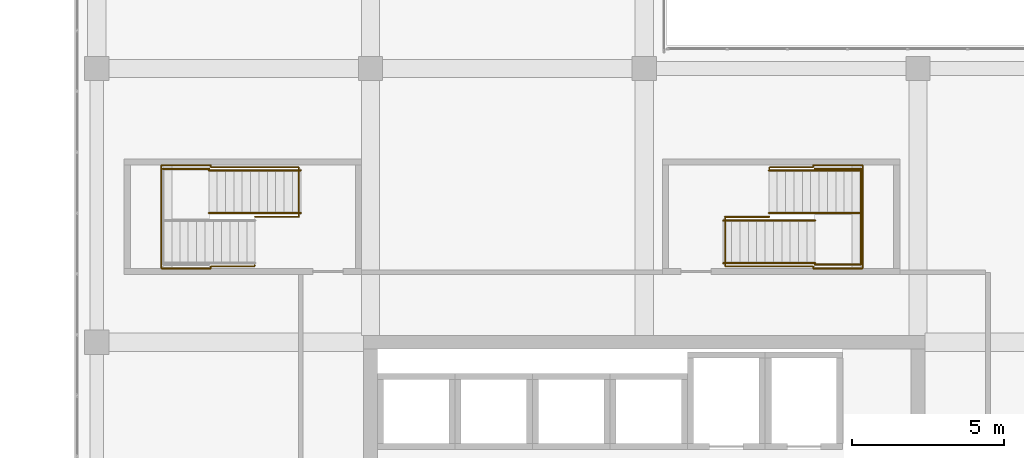
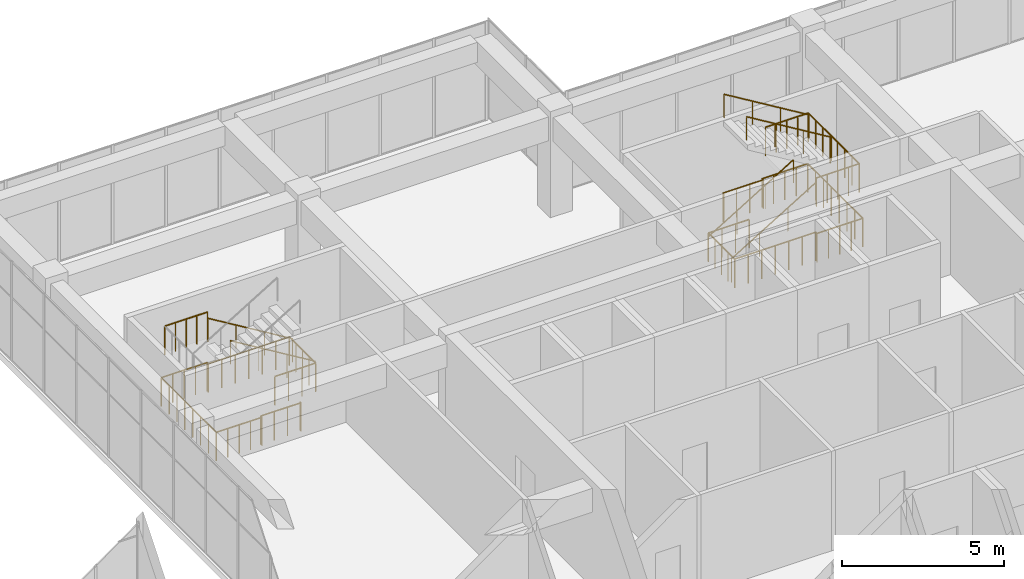
# One storey, part 65 of 65: 14 railings.
"""IFC4 building model written with IfcOpenShell, lengths in metres."""

from ifc_helpers import new_model, si_unit, direction, frame, origin, origin_2d, place, context, subcontext, project, spatial, circle, extrude, material, type_object, element, save


model = new_model("IFC4")

# Units and contexts
model_context = context("Model", 3, precision=1e-05, world=origin(), true_north=direction((0.0, 1.0)))
body_context = subcontext(model_context, "Body", "Model", "MODEL_VIEW")
ifc_project = project(units=[si_unit("LENGTHUNIT", "METRE"), si_unit("AREAUNIT", "SQUARE_METRE"), si_unit("VOLUMEUNIT", "CUBIC_METRE"), si_unit("PLANEANGLEUNIT", "RADIAN"), si_unit("MASSUNIT", "GRAM", prefix="KILO")], contexts=[model_context])

# Site, building, storey
site_placement = place(None, origin())
site = spatial("IfcSite", under=ifc_project, at=site_placement, CompositionType="ELEMENT")
building_placement = place(site_placement, origin())
building = spatial("IfcBuilding", under=site, at=building_placement, Name="Tuart Plaza Theatre", CompositionType="ELEMENT")
storey_placement = place(building_placement, frame((0.0, 0.0, 9.5)))
storey = spatial("IfcBuildingStorey", under=building, at=storey_placement, Name="L02", CompositionType="ELEMENT", Elevation=9.5)

# Railings
ifc_material_1 = material(Name="Steel Grade C350L0", Category="steel")
railing_type_1 = type_object("IfcRailingType", Name="RAILING Guard 1100", PredefinedType="GUARDRAIL", material=ifc_material_1)
railing_1_placement = place(storey_placement, frame((134.655029296875, 87.125, 0.0)))
element("IfcRailing", 1, at=railing_1_placement, inside=storey, type_object=railing_type_1, Name="GR283", PredefinedType="GUARDRAIL", context=body_context, shape_type="SweptSolid", body=[
    extrude(circle(Radius=0.02490234375, at=origin_2d()), frame((0.0, 0.0, 1.0751953125), z_axis=(1.0, 0.0, 0.0), x_axis=(0.0, 1.0, 0.0)), (0.0, 0.0, 1.0), 1.455078125),
    extrude(circle(Radius=0.02001953125, at=origin_2d()), origin(), (0.0, 0.0, 1.0), 1.050048828125),
    extrude(circle(Radius=0.02001953125, at=origin_2d()), frame((0.485107421875, 0.0, 0.0)), (0.0, 0.0, 1.0), 1.050048828125),
    extrude(circle(Radius=0.02001953125, at=origin_2d()), frame((0.969970703125, 0.0, 0.0)), (0.0, 0.0, 1.0), 1.050048828125),
    extrude(circle(Radius=0.02001953125, at=origin_2d()), frame((1.455078125, 0.0, 0.0)), (0.0, 0.0, 1.0), 1.050048828125),
])
railing_2_placement = place(storey_placement, frame((136.114990234375, 88.705078125, 0.0)))
element("IfcRailing", 2, at=railing_2_placement, inside=storey, type_object=railing_type_1, Name="GR284", PredefinedType="GUARDRAIL", context=body_context, shape_type="SweptSolid", body=[
    extrude(circle(Radius=0.02490234375, at=origin_2d()), frame((0.0, 0.0, 1.0751953125), z_axis=(0.0, 1.0, 0.0), x_axis=(-1.0, 0.0, 0.0)), (0.0, 0.0, 1.0), 0.044921875),
    extrude(circle(Radius=0.02490234375, at=origin_2d()), frame((0.0, 0.044921875, 1.0751953125), z_axis=(1.0, 0.0, 0.0), x_axis=(0.0, 1.0, 0.0)), (0.0, 0.0, 1.0), 1.43505859375),
    extrude(circle(Radius=0.02490234375, at=origin_2d()), frame((1.43505859375, 0.044921875, 1.0751953125), z_axis=(0.0, 1.0, 0.0), x_axis=(-1.0, 0.0, 0.0)), (0.0, 0.0, 1.0), 0.074951171875),
    extrude(circle(Radius=0.02490234375, at=origin_2d()), frame((1.43505859375, 0.119873046875, 1.0751953125), z_axis=(1.0, 0.0, 0.0), x_axis=(0.0, 1.0, 0.0)), (0.0, 0.0, 1.0), 1.6298828125),
    extrude(circle(Radius=0.02490234375, at=origin_2d()), frame((3.06494140625, 0.119873046875, 1.0751953125), z_axis=(0.0, -1.0, 0.0), x_axis=(1.0, 0.0, 0.0)), (0.0, 0.0, 1.0), 3.39990234375),
    extrude(circle(Radius=0.02490234375, at=origin_2d()), frame((3.06494140625, -3.280029296875, 1.0751953125), z_axis=(-1.0, 0.0, 0.0), x_axis=(0.0, -1.0, 0.0)), (0.0, 0.0, 1.0), 1.6298828125),
    extrude(circle(Radius=0.02490234375, at=origin_2d()), frame((1.43505859375, -3.280029296875, 1.0751953125), z_axis=(0.0, 1.0, 0.0), x_axis=(-1.0, 0.0, 0.0)), (0.0, 0.0, 1.0), 0.074951171875),
    extrude(circle(Radius=0.02490234375, at=origin_2d()), frame((1.43505859375, -3.205078125, 1.0751953125), z_axis=(-1.0, 0.0, 0.0), x_axis=(0.0, -1.0, 0.0)), (0.0, 0.0, 1.0), 2.89501953125),
    extrude(circle(Radius=0.02490234375, at=origin_2d()), frame((-1.4599609375, -3.205078125, 1.0751953125), z_axis=(0.0, 1.0, 0.0), x_axis=(-1.0, 0.0, 0.0)), (0.0, 0.0, 1.0), 1.625),
    extrude(circle(Radius=0.02001953125, at=origin_2d()), origin(), (0.0, 0.0, 1.0), 1.050048828125),
    extrude(circle(Radius=0.02001953125, at=origin_2d()), frame((0.0, 0.044921875, 0.0)), (0.0, 0.0, 1.0), 1.050048828125),
    extrude(circle(Radius=0.02001953125, at=origin_2d()), frame((0.478271484375, 0.044921875, 0.0)), (0.0, 0.0, 1.0), 1.050048828125),
    extrude(circle(Radius=0.02001953125, at=origin_2d()), frame((0.956787109375, 0.044921875, 0.0)), (0.0, 0.0, 1.0), 1.050048828125),
    extrude(circle(Radius=0.02001953125, at=origin_2d()), frame((1.43505859375, 0.044921875, 0.0)), (0.0, 0.0, 1.0), 1.050048828125),
    extrude(circle(Radius=0.02001953125, at=origin_2d()), frame((1.43505859375, 0.119873046875, 0.0)), (0.0, 0.0, 1.0), 1.050048828125),
    extrude(circle(Radius=0.02001953125, at=origin_2d()), frame((1.842529296875, 0.119873046875, 0.0)), (0.0, 0.0, 1.0), 1.050048828125),
    extrude(circle(Radius=0.02001953125, at=origin_2d()), frame((2.25, 0.119873046875, 0.0)), (0.0, 0.0, 1.0), 1.050048828125),
    extrude(circle(Radius=0.02001953125, at=origin_2d()), frame((2.657470703125, 0.119873046875, 0.0)), (0.0, 0.0, 1.0), 1.050048828125),
    extrude(circle(Radius=0.02001953125, at=origin_2d()), frame((3.06494140625, 0.119873046875, 0.0)), (0.0, 0.0, 1.0), 1.050048828125),
    extrude(circle(Radius=0.02001953125, at=origin_2d()), frame((3.06494140625, -0.36572265625, 0.0)), (0.0, 0.0, 1.0), 1.050048828125),
    extrude(circle(Radius=0.02001953125, at=origin_2d()), frame((3.06494140625, -0.8515625, 0.0)), (0.0, 0.0, 1.0), 1.050048828125),
    extrude(circle(Radius=0.02001953125, at=origin_2d()), frame((3.06494140625, -1.337158203125, 0.0)), (0.0, 0.0, 1.0), 1.050048828125),
    extrude(circle(Radius=0.02001953125, at=origin_2d()), frame((3.06494140625, -1.822998046875, 0.0)), (0.0, 0.0, 1.0), 1.050048828125),
    extrude(circle(Radius=0.02001953125, at=origin_2d()), frame((3.06494140625, -2.30859375, 0.0)), (0.0, 0.0, 1.0), 1.050048828125),
    extrude(circle(Radius=0.02001953125, at=origin_2d()), frame((3.06494140625, -2.79443359375, 0.0)), (0.0, 0.0, 1.0), 1.050048828125),
    extrude(circle(Radius=0.02001953125, at=origin_2d()), frame((3.06494140625, -3.280029296875, 0.0)), (0.0, 0.0, 1.0), 1.050048828125),
    extrude(circle(Radius=0.02001953125, at=origin_2d()), frame((2.657470703125, -3.280029296875, 0.0)), (0.0, 0.0, 1.0), 1.050048828125),
    extrude(circle(Radius=0.02001953125, at=origin_2d()), frame((2.25, -3.280029296875, 0.0)), (0.0, 0.0, 1.0), 1.050048828125),
    extrude(circle(Radius=0.02001953125, at=origin_2d()), frame((1.842529296875, -3.280029296875, 0.0)), (0.0, 0.0, 1.0), 1.050048828125),
    extrude(circle(Radius=0.02001953125, at=origin_2d()), frame((1.43505859375, -3.280029296875, 0.0)), (0.0, 0.0, 1.0), 1.050048828125),
    extrude(circle(Radius=0.02001953125, at=origin_2d()), frame((1.43505859375, -3.205078125, 0.0)), (0.0, 0.0, 1.0), 1.050048828125),
    extrude(circle(Radius=0.02001953125, at=origin_2d()), frame((0.95263671875, -3.205078125, 0.0)), (0.0, 0.0, 1.0), 1.050048828125),
    extrude(circle(Radius=0.02001953125, at=origin_2d()), frame((0.469970703125, -3.205078125, 0.0)), (0.0, 0.0, 1.0), 1.050048828125),
    extrude(circle(Radius=0.02001953125, at=origin_2d()), frame((-0.012451171875, -3.205078125, 0.0)), (0.0, 0.0, 1.0), 1.050048828125),
    extrude(circle(Radius=0.02001953125, at=origin_2d()), frame((-0.494873046875, -3.205078125, 0.0)), (0.0, 0.0, 1.0), 1.050048828125),
    extrude(circle(Radius=0.02001953125, at=origin_2d()), frame((-0.9775390625, -3.205078125, 0.0)), (0.0, 0.0, 1.0), 1.050048828125),
    extrude(circle(Radius=0.02001953125, at=origin_2d()), frame((-1.4599609375, -3.205078125, 0.0)), (0.0, 0.0, 1.0), 1.050048828125),
    extrude(circle(Radius=0.02001953125, at=origin_2d()), frame((-1.4599609375, -2.798828125, 0.0)), (0.0, 0.0, 1.0), 1.050048828125),
    extrude(circle(Radius=0.02001953125, at=origin_2d()), frame((-1.4599609375, -2.392578125, 0.0)), (0.0, 0.0, 1.0), 1.050048828125),
    extrude(circle(Radius=0.02001953125, at=origin_2d()), frame((-1.4599609375, -1.986328125, 0.0)), (0.0, 0.0, 1.0), 1.050048828125),
    extrude(circle(Radius=0.02001953125, at=origin_2d()), frame((-1.4599609375, -1.580078125, 0.0)), (0.0, 0.0, 1.0), 1.050048828125),
])
railing_3_placement = place(storey_placement, frame((137.60009765625, 85.550048828125, 2.0)))
element("IfcRailing", 3, at=railing_3_placement, inside=storey, type_object=railing_type_1, Name="GR290", PredefinedType="GUARDRAIL", context=body_context, shape_type="SweptSolid", body=[
    extrude(circle(Radius=0.02490234375, at=origin_2d()), frame((0.0, 0.0, 1.0751953125), z_axis=(1.0, 0.0, 0.0), x_axis=(0.0, 1.0, 0.0)), (0.0, 0.0, 1.0), 1.52978515625),
    extrude(circle(Radius=0.02001953125, at=origin_2d()), origin(), (0.0, 0.0, 1.0), 1.050048828125),
    extrude(circle(Radius=0.02001953125, at=origin_2d()), frame((0.38232421875, 0.0, 0.0)), (0.0, 0.0, 1.0), 1.050048828125),
    extrude(circle(Radius=0.02001953125, at=origin_2d()), frame((0.764892578125, 0.0, 0.0)), (0.0, 0.0, 1.0), 1.050048828125),
    extrude(circle(Radius=0.02001953125, at=origin_2d()), frame((1.1474609375, 0.0, 0.0)), (0.0, 0.0, 1.0), 1.050048828125),
    extrude(circle(Radius=0.02001953125, at=origin_2d()), frame((1.52978515625, 0.0, 0.0)), (0.0, 0.0, 1.0), 1.050048828125),
])
railing_4_placement = place(storey_placement, frame((139.1298828125, 85.550048828125, 2.0)))
element("IfcRailing", 4, at=railing_4_placement, inside=storey, type_object=railing_type_1, Name="GR291", PredefinedType="GUARDRAIL", context=body_context, shape_type="SweptSolid", body=[
    extrude(circle(Radius=0.02490234375, at=origin_2d()), frame((0.0, 0.0, 1.0751953125), z_axis=(0.0, 1.0, 0.0), x_axis=(-1.0, 0.0, 0.0)), (0.0, 0.0, 1.0), 3.14990234375),
    extrude(circle(Radius=0.02001953125, at=origin_2d()), origin(), (0.0, 0.0, 1.0), 1.050048828125),
    extrude(circle(Radius=0.02001953125, at=origin_2d()), frame((0.0, 0.449951171875, 0.0)), (0.0, 0.0, 1.0), 1.050048828125),
    extrude(circle(Radius=0.02001953125, at=origin_2d()), frame((0.0, 0.89990234375, 0.0)), (0.0, 0.0, 1.0), 1.050048828125),
    extrude(circle(Radius=0.02001953125, at=origin_2d()), frame((0.0, 1.349853515625, 0.0)), (0.0, 0.0, 1.0), 1.050048828125),
    extrude(circle(Radius=0.02001953125, at=origin_2d()), frame((0.0, 1.800048828125, 0.0)), (0.0, 0.0, 1.0), 1.050048828125),
    extrude(circle(Radius=0.02001953125, at=origin_2d()), frame((0.0, 2.25, 0.0)), (0.0, 0.0, 1.0), 1.050048828125),
    extrude(circle(Radius=0.02001953125, at=origin_2d()), frame((0.0, 2.699951171875, 0.0)), (0.0, 0.0, 1.0), 1.050048828125),
    extrude(circle(Radius=0.02001953125, at=origin_2d()), frame((0.0, 3.14990234375, 0.0)), (0.0, 0.0, 1.0), 1.050048828125),
])
railing_5_placement = place(storey_placement, frame((139.1298828125, 88.699951171875, 2.0)))
element("IfcRailing", 5, at=railing_5_placement, inside=storey, type_object=railing_type_1, Name="GR292", PredefinedType="GUARDRAIL", context=body_context, shape_type="SweptSolid", body=[
    extrude(circle(Radius=0.02490234375, at=origin_2d()), frame((0.0, 0.0, 1.0751953125), z_axis=(-1.0, 0.0, 0.0), x_axis=(0.0, -1.0, 0.0)), (0.0, 0.0, 1.0), 1.52978515625),
    extrude(circle(Radius=0.02001953125, at=origin_2d()), origin(), (0.0, 0.0, 1.0), 1.050048828125),
    extrude(circle(Radius=0.02001953125, at=origin_2d()), frame((-0.38232421875, 0.0, 0.0)), (0.0, 0.0, 1.0), 1.050048828125),
    extrude(circle(Radius=0.02001953125, at=origin_2d()), frame((-0.764892578125, 0.0, 0.0)), (0.0, 0.0, 1.0), 1.050048828125),
    extrude(circle(Radius=0.02001953125, at=origin_2d()), frame((-1.1474609375, 0.0, 0.0)), (0.0, 0.0, 1.0), 1.050048828125),
    extrude(circle(Radius=0.02001953125, at=origin_2d()), frame((-1.52978515625, 0.0, 0.0)), (0.0, 0.0, 1.0), 1.050048828125),
])
railing_6_placement = place(storey_placement, frame((120.64501953125, 88.75, 0.0)))
element("IfcRailing", 6, at=railing_6_placement, inside=storey, type_object=railing_type_1, Name="GR362", PredefinedType="GUARDRAIL", context=body_context, shape_type="SweptSolid", body=[
    extrude(circle(Radius=0.02490234375, at=origin_2d()), frame((0.0, 0.0, 1.0751953125), z_axis=(0.0, -1.0, 0.0), x_axis=(1.0, 0.0, 0.0)), (0.0, 0.0, 1.0), 1.625),
    extrude(circle(Radius=0.02490234375, at=origin_2d()), frame((0.0, -1.625, 1.0751953125), z_axis=(-1.0, 0.0, 0.0), x_axis=(0.0, -1.0, 0.0)), (0.0, 0.0, 1.0), 1.455078125),
    extrude(circle(Radius=0.02001953125, at=origin_2d()), origin(), (0.0, 0.0, 1.0), 1.050048828125),
    extrude(circle(Radius=0.02001953125, at=origin_2d()), frame((0.0, -0.40625, 0.0)), (0.0, 0.0, 1.0), 1.050048828125),
    extrude(circle(Radius=0.02001953125, at=origin_2d()), frame((0.0, -0.8125, 0.0)), (0.0, 0.0, 1.0), 1.050048828125),
    extrude(circle(Radius=0.02001953125, at=origin_2d()), frame((0.0, -1.21875, 0.0)), (0.0, 0.0, 1.0), 1.050048828125),
    extrude(circle(Radius=0.02001953125, at=origin_2d()), frame((0.0, -1.625, 0.0)), (0.0, 0.0, 1.0), 1.050048828125),
    extrude(circle(Radius=0.02001953125, at=origin_2d()), frame((-0.485107421875, -1.625, 0.0)), (0.0, 0.0, 1.0), 1.050048828125),
    extrude(circle(Radius=0.02001953125, at=origin_2d()), frame((-0.969970703125, -1.625, 0.0)), (0.0, 0.0, 1.0), 1.050048828125),
    extrude(circle(Radius=0.02001953125, at=origin_2d()), frame((-1.455078125, -1.625, 0.0)), (0.0, 0.0, 1.0), 1.050048828125),
])
railing_7_placement = place(storey_placement, frame((119.18505859375, 85.544921875, 0.0)))
element("IfcRailing", 7, at=railing_7_placement, inside=storey, type_object=railing_type_1, Name="GR363", PredefinedType="GUARDRAIL", context=body_context, shape_type="SweptSolid", body=[
    extrude(circle(Radius=0.02490234375, at=origin_2d()), frame((0.0, 0.0, 1.0751953125), z_axis=(0.0, -1.0, 0.0), x_axis=(1.0, 0.0, 0.0)), (0.0, 0.0, 1.0), 0.044921875),
    extrude(circle(Radius=0.02490234375, at=origin_2d()), frame((0.0, -0.044921875, 1.0751953125), z_axis=(-1.0, 0.0, 0.0), x_axis=(0.0, -1.0, 0.0)), (0.0, 0.0, 1.0), 1.43505859375),
    extrude(circle(Radius=0.02490234375, at=origin_2d()), frame((-1.43505859375, -0.044921875, 1.0751953125), z_axis=(0.0, -1.0, 0.0), x_axis=(1.0, 0.0, 0.0)), (0.0, 0.0, 1.0), 0.074951171875),
    extrude(circle(Radius=0.02490234375, at=origin_2d()), frame((-1.43505859375, -0.119873046875, 1.0751953125), z_axis=(-1.0, 0.0, 0.0), x_axis=(0.0, -1.0, 0.0)), (0.0, 0.0, 1.0), 1.6298828125),
    extrude(circle(Radius=0.02490234375, at=origin_2d()), frame((-3.06494140625, -0.119873046875, 1.0751953125), z_axis=(0.0, 1.0, 0.0), x_axis=(-1.0, 0.0, 0.0)), (0.0, 0.0, 1.0), 3.39990234375),
    extrude(circle(Radius=0.02490234375, at=origin_2d()), frame((-3.06494140625, 3.280029296875, 1.0751953125), z_axis=(1.0, 0.0, 0.0), x_axis=(0.0, 1.0, 0.0)), (0.0, 0.0, 1.0), 1.6298828125),
    extrude(circle(Radius=0.02490234375, at=origin_2d()), frame((-1.43505859375, 3.280029296875, 1.0751953125), z_axis=(0.0, -1.0, 0.0), x_axis=(1.0, 0.0, 0.0)), (0.0, 0.0, 1.0), 0.074951171875),
    extrude(circle(Radius=0.02490234375, at=origin_2d()), frame((-1.43505859375, 3.205078125, 1.0751953125), z_axis=(1.0, 0.0, 0.0), x_axis=(0.0, 1.0, 0.0)), (0.0, 0.0, 1.0), 2.89501953125),
    extrude(circle(Radius=0.02001953125, at=origin_2d()), origin(), (0.0, 0.0, 1.0), 1.050048828125),
    extrude(circle(Radius=0.02001953125, at=origin_2d()), frame((0.0, -0.044921875, 0.0)), (0.0, 0.0, 1.0), 1.050048828125),
    extrude(circle(Radius=0.02001953125, at=origin_2d()), frame((-0.478271484375, -0.044921875, 0.0)), (0.0, 0.0, 1.0), 1.050048828125),
    extrude(circle(Radius=0.02001953125, at=origin_2d()), frame((-0.956787109375, -0.044921875, 0.0)), (0.0, 0.0, 1.0), 1.050048828125),
    extrude(circle(Radius=0.02001953125, at=origin_2d()), frame((-1.43505859375, -0.044921875, 0.0)), (0.0, 0.0, 1.0), 1.050048828125),
    extrude(circle(Radius=0.02001953125, at=origin_2d()), frame((-1.43505859375, -0.119873046875, 0.0)), (0.0, 0.0, 1.0), 1.050048828125),
    extrude(circle(Radius=0.02001953125, at=origin_2d()), frame((-1.842529296875, -0.119873046875, 0.0)), (0.0, 0.0, 1.0), 1.050048828125),
    extrude(circle(Radius=0.02001953125, at=origin_2d()), frame((-2.25, -0.119873046875, 0.0)), (0.0, 0.0, 1.0), 1.050048828125),
    extrude(circle(Radius=0.02001953125, at=origin_2d()), frame((-2.657470703125, -0.119873046875, 0.0)), (0.0, 0.0, 1.0), 1.050048828125),
    extrude(circle(Radius=0.02001953125, at=origin_2d()), frame((-3.06494140625, -0.119873046875, 0.0)), (0.0, 0.0, 1.0), 1.050048828125),
    extrude(circle(Radius=0.02001953125, at=origin_2d()), frame((-3.06494140625, 0.36572265625, 0.0)), (0.0, 0.0, 1.0), 1.050048828125),
    extrude(circle(Radius=0.02001953125, at=origin_2d()), frame((-3.06494140625, 0.8515625, 0.0)), (0.0, 0.0, 1.0), 1.050048828125),
    extrude(circle(Radius=0.02001953125, at=origin_2d()), frame((-3.06494140625, 1.337158203125, 0.0)), (0.0, 0.0, 1.0), 1.050048828125),
    extrude(circle(Radius=0.02001953125, at=origin_2d()), frame((-3.06494140625, 1.822998046875, 0.0)), (0.0, 0.0, 1.0), 1.050048828125),
    extrude(circle(Radius=0.02001953125, at=origin_2d()), frame((-3.06494140625, 2.30859375, 0.0)), (0.0, 0.0, 1.0), 1.050048828125),
    extrude(circle(Radius=0.02001953125, at=origin_2d()), frame((-3.06494140625, 2.79443359375, 0.0)), (0.0, 0.0, 1.0), 1.050048828125),
    extrude(circle(Radius=0.02001953125, at=origin_2d()), frame((-3.06494140625, 3.280029296875, 0.0)), (0.0, 0.0, 1.0), 1.050048828125),
    extrude(circle(Radius=0.02001953125, at=origin_2d()), frame((-2.657470703125, 3.280029296875, 0.0)), (0.0, 0.0, 1.0), 1.050048828125),
    extrude(circle(Radius=0.02001953125, at=origin_2d()), frame((-2.25, 3.280029296875, 0.0)), (0.0, 0.0, 1.0), 1.050048828125),
    extrude(circle(Radius=0.02001953125, at=origin_2d()), frame((-1.842529296875, 3.280029296875, 0.0)), (0.0, 0.0, 1.0), 1.050048828125),
    extrude(circle(Radius=0.02001953125, at=origin_2d()), frame((-1.43505859375, 3.280029296875, 0.0)), (0.0, 0.0, 1.0), 1.050048828125),
    extrude(circle(Radius=0.02001953125, at=origin_2d()), frame((-1.43505859375, 3.205078125, 0.0)), (0.0, 0.0, 1.0), 1.050048828125),
    extrude(circle(Radius=0.02001953125, at=origin_2d()), frame((-0.95263671875, 3.205078125, 0.0)), (0.0, 0.0, 1.0), 1.050048828125),
    extrude(circle(Radius=0.02001953125, at=origin_2d()), frame((-0.469970703125, 3.205078125, 0.0)), (0.0, 0.0, 1.0), 1.050048828125),
    extrude(circle(Radius=0.02001953125, at=origin_2d()), frame((0.012451171875, 3.205078125, 0.0)), (0.0, 0.0, 1.0), 1.050048828125),
    extrude(circle(Radius=0.02001953125, at=origin_2d()), frame((0.494873046875, 3.205078125, 0.0)), (0.0, 0.0, 1.0), 1.050048828125),
    extrude(circle(Radius=0.02001953125, at=origin_2d()), frame((0.9775390625, 3.205078125, 0.0)), (0.0, 0.0, 1.0), 1.050048828125),
    extrude(circle(Radius=0.02001953125, at=origin_2d()), frame((1.4599609375, 3.205078125, 0.0)), (0.0, 0.0, 1.0), 1.050048828125),
])
railing_8_placement = place(storey_placement, frame((117.699951171875, 88.699951171875, 2.0)))
element("IfcRailing", 8, at=railing_8_placement, inside=storey, type_object=railing_type_1, Name="GR369", PredefinedType="GUARDRAIL", context=body_context, shape_type="SweptSolid", body=[
    extrude(circle(Radius=0.02490234375, at=origin_2d()), frame((0.0, 0.0, 1.0751953125), z_axis=(-1.0, 0.0, 0.0), x_axis=(0.0, -1.0, 0.0)), (0.0, 0.0, 1.0), 1.530029296875),
    extrude(circle(Radius=0.02001953125, at=origin_2d()), origin(), (0.0, 0.0, 1.0), 1.050048828125),
    extrude(circle(Radius=0.02001953125, at=origin_2d()), frame((-0.382568359375, 0.0, 0.0)), (0.0, 0.0, 1.0), 1.050048828125),
    extrude(circle(Radius=0.02001953125, at=origin_2d()), frame((-0.76513671875, 0.0, 0.0)), (0.0, 0.0, 1.0), 1.050048828125),
    extrude(circle(Radius=0.02001953125, at=origin_2d()), frame((-1.1474609375, 0.0, 0.0)), (0.0, 0.0, 1.0), 1.050048828125),
    extrude(circle(Radius=0.02001953125, at=origin_2d()), frame((-1.530029296875, 0.0, 0.0)), (0.0, 0.0, 1.0), 1.050048828125),
])
ifc_material_2 = material(Name="Steel Grade C350L0", Category="steel")
railing_type_2 = type_object("IfcRailingType", Name="RAILING Handrail 900", PredefinedType="HANDRAIL", material=ifc_material_2)
for number, where, name in (
    (9, (134.594970703125, 87.0, 0.166748046875), "HR187"),
    (10, (134.594970703125, 85.60009765625, 0.166748046875), "HR188"),
):
    element("IfcRailing", number, at=place(storey_placement, frame(where)), inside=storey, type_object=railing_type_2, Name=name, PredefinedType="HANDRAIL", context=body_context, shape_type="SweptSolid", body=[
        extrude(circle(Radius=0.0224609375, at=origin_2d()), frame((0.0, 0.0, 0.87744140625), z_axis=(0.855219153138, 0.0, 0.518266533848), x_axis=(0.0, 1.0, 0.0)), (0.0, 0.0, 1.0), 3.537353515625),
        extrude(circle(Radius=0.01513671875, at=origin_2d()), origin(), (0.0, 0.0, 1.0), 0.85498046875),
        extrude(circle(Radius=0.01513671875, at=origin_2d()), frame((1.00830078125, 0.0, 0.611083984375)), (0.0, 0.0, 1.0), 0.85498046875),
        extrude(circle(Radius=0.01513671875, at=origin_2d()), frame((2.016845703125, 0.0, 1.22216796875)), (0.0, 0.0, 1.0), 0.85498046875),
        extrude(circle(Radius=0.01513671875, at=origin_2d()), frame((3.025146484375, 0.0, 1.833251953125)), (0.0, 0.0, 1.0), 0.85498046875),
    ])
for number, where, name in (
    (11, (139.1201171875, 87.25, 2.166748046875), "HR189"),
    (12, (139.1201171875, 88.64990234375, 2.166748046875), "HR190"),
    (13, (120.705078125, 87.25, 0.166748046875), "HR251"),
    (14, (120.705078125, 88.64990234375, 0.166748046875), "HR252"),
):
    element("IfcRailing", number, at=place(storey_placement, frame(where)), inside=storey, type_object=railing_type_2, Name=name, PredefinedType="HANDRAIL", context=body_context, shape_type="SweptSolid", body=[
        extrude(circle(Radius=0.0224609375, at=origin_2d()), frame((0.0, 0.0, 0.87744140625), z_axis=(-0.855219153138, 0.0, 0.518266533848), x_axis=(0.0, -1.0, 0.0)), (0.0, 0.0, 1.0), 3.537353515625),
        extrude(circle(Radius=0.01513671875, at=origin_2d()), origin(), (0.0, 0.0, 1.0), 0.85498046875),
        extrude(circle(Radius=0.01513671875, at=origin_2d()), frame((-1.00830078125, 0.0, 0.611083984375)), (0.0, 0.0, 1.0), 0.85498046875),
        extrude(circle(Radius=0.01513671875, at=origin_2d()), frame((-2.016845703125, 0.0, 1.22216796875)), (0.0, 0.0, 1.0), 0.85498046875),
        extrude(circle(Radius=0.01513671875, at=origin_2d()), frame((-3.025146484375, 0.0, 1.833251953125)), (0.0, 0.0, 1.0), 0.85498046875),
    ])

save(model, "model.ifc")
